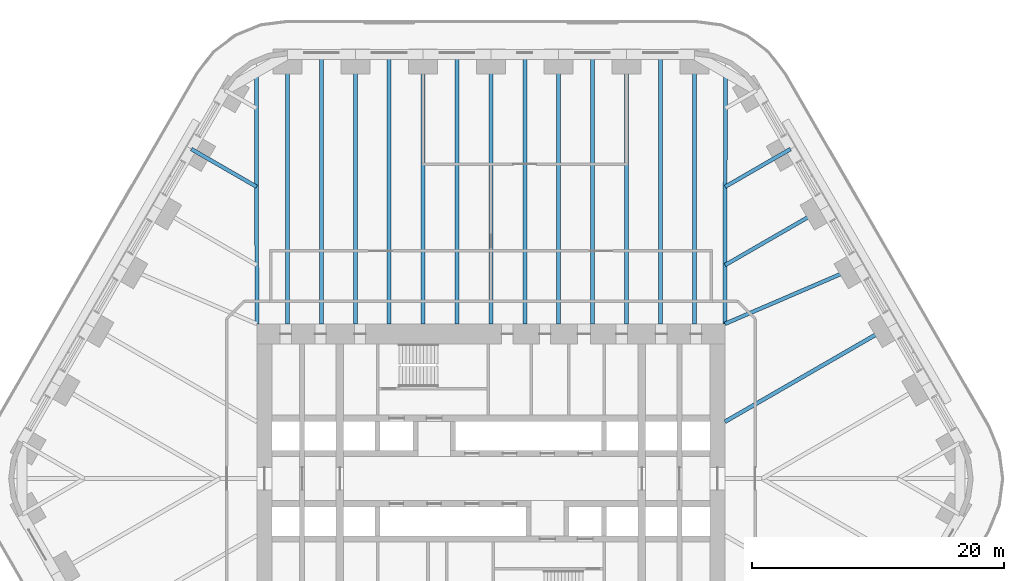
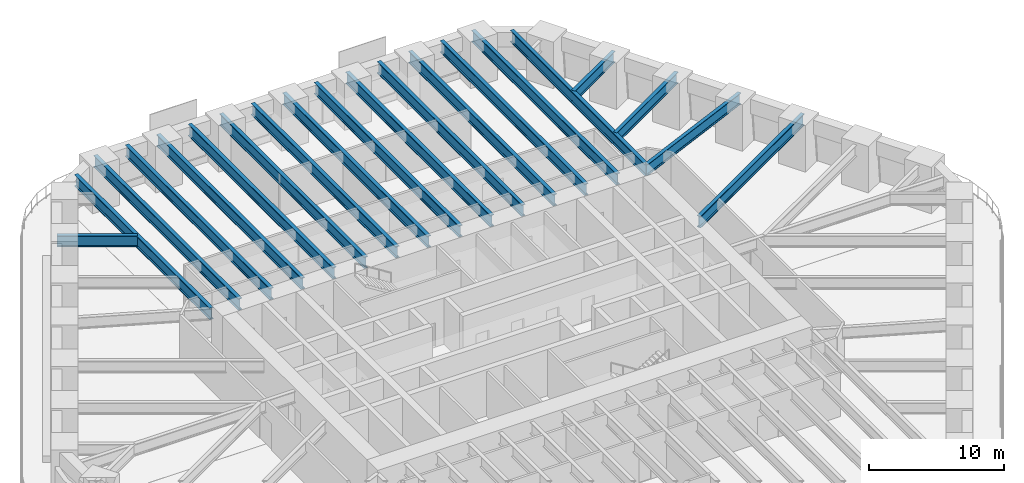
# One storey, part 10 of 23: 20 beams.
"""IFC4 building model written with IfcOpenShell, lengths in metres."""

from ifc_helpers import new_model, si_unit, direction, frame, origin, origin_2d, place, context, subcontext, project, spatial, i_section, extrude, material, material_profile, profile_set, type_object, element, save


model = new_model("IFC4")

# Units and contexts
model_context = context("Model", 3, precision=1e-05, world=origin(), true_north=direction((0.0, 1.0)))
body_context = subcontext(model_context, "Body", "Model", "MODEL_VIEW")
ifc_project = project(units=[si_unit("LENGTHUNIT", "METRE"), si_unit("AREAUNIT", "SQUARE_METRE"), si_unit("VOLUMEUNIT", "CUBIC_METRE"), si_unit("PLANEANGLEUNIT", "RADIAN"), si_unit("MASSUNIT", "GRAM", prefix="KILO")], contexts=[model_context])

# Site, building, storey
site_placement = place(None, origin())
site = spatial("IfcSite", under=ifc_project, at=site_placement, CompositionType="ELEMENT")
building_placement = place(site_placement, origin())
building = spatial("IfcBuilding", under=site, at=building_placement, Name="Tarfa Lantern Tower", CompositionType="ELEMENT")
storey_placement = place(building_placement, frame((0.0, 0.0, 31.89990234375)))
storey = spatial("IfcBuildingStorey", under=building, at=storey_placement, Name="L06", CompositionType="ELEMENT", Elevation=31.89990234375)

# Beams
ifc_material = material(Name="Steel S460M", Category="steel")
ifc_material_profile_1 = material_profile(ifc_material, i_section(OverallWidth=0.302001953125, OverallDepth=1.008056640625, WebThickness=0.02099609375, FlangeThickness=0.0400390625, FilletRadius=0.030029296875, at=origin_2d()), Name="UB1016x305x349")
ifc_profile_set_1 = profile_set([ifc_material_profile_1], Name="Steel S460M")
beam_type_1 = type_object("IfcBeamType", Name="UB1016x305x349", PredefinedType="BEAM", material=ifc_profile_set_1)
beam_1_placement = place(storey_placement, frame((29.202392578125, 16.860107421875, 3.49609375), z_axis=(-0.918635483867, -0.395106122175, 0.0), x_axis=(0.395106122175, -0.918635483867, 0.0)))
element("IfcBeam", 1, at=beam_1_placement, inside=storey, type_object=beam_type_1, Name="Floor beam NE3", PredefinedType="BEAM", context=body_context, shape_type="SweptSolid", body=[
    extrude(i_section(OverallWidth=0.302001953125, OverallDepth=1.008056640625, WebThickness=0.02099609375, FlangeThickness=0.0400390625, FilletRadius=0.030029296875, at=origin_2d()), origin(), (0.0, 0.0, 1.0), 11.541259765625),
])
beam_2_placement = place(storey_placement, frame((26.508056640625, 21.526611328125, 3.49609375), z_axis=(-0.866035355799, -0.49998276221, 0.0), x_axis=(0.49998276221, -0.866035355799, 0.0)))
element("IfcBeam", 2, at=beam_2_placement, inside=storey, type_object=beam_type_1, Name="Floor beam NE4", PredefinedType="BEAM", context=body_context, shape_type="SweptSolid", body=[
    extrude(i_section(OverallWidth=0.302001953125, OverallDepth=1.008056640625, WebThickness=0.02099609375, FlangeThickness=0.0400390625, FilletRadius=0.030029296875, at=origin_2d()), origin(), (0.0, 0.0, 1.0), 9.119873046875),
])
for number, where, z_axis, x_axis, name in (
    (3, (23.813720703125, 26.193359375, 3.49609375), (-0.866015997389, -0.500016292001, 0.0), (0.500016292001, -0.866015997389, 0.0), "Floor beam NE5"),
    (4, (-23.813720703125, 26.193359375, 3.49609375), (0.866015997389, -0.500016292001, 0.0), (0.500016292001, 0.866015997389, 0.0), "Floor beam NW1"),
):
    element("IfcBeam", number, at=place(storey_placement, frame(where, z_axis=z_axis, x_axis=x_axis)), inside=storey, type_object=beam_type_1, Name=name, PredefinedType="BEAM", context=body_context, shape_type="SweptSolid", body=[
        extrude(i_section(OverallWidth=0.302001953125, OverallDepth=1.008056640625, WebThickness=0.02099609375, FlangeThickness=0.0400390625, FilletRadius=0.030029296875, at=origin_2d()), origin(), (0.0, 0.0, 1.0), 5.993408203125),
    ])
ifc_material_profile_2 = material_profile(ifc_material, i_section(OverallWidth=0.314208984375, OverallDepth=1.055908203125, WebThickness=0.035888671875, FlangeThickness=0.06396484375, FilletRadius=0.030029296875, at=origin_2d()), Name="UB1016x305x584")
ifc_profile_set_2 = profile_set([ifc_material_profile_2], Name="Steel S460M")
beam_type_2 = type_object("IfcBeamType", Name="UB1016x305x584", PredefinedType="BEAM", material=ifc_profile_set_2)
for number, where, z_axis, x_axis, name in (
    (5, (18.60009765625, 12.300048828125, 3.47216796875), (0.00212508222, 0.99999774201, 0.0), (-0.99999774201, 0.00212508222, 0.0), "Hip girder NE"),
    (6, (-18.60009765625, 12.300048828125, 3.47216796875), (-0.00212508222, 0.99999774201, 0.0), (-0.99999774201, -0.00212508222, 0.0), "Hip girder NW"),
):
    element("IfcBeam", number, at=place(storey_placement, frame(where, z_axis=z_axis, x_axis=x_axis)), inside=storey, type_object=beam_type_2, Name=name, PredefinedType="BEAM", context=body_context, shape_type="SweptSolid", body=[
        extrude(i_section(OverallWidth=0.314208984375, OverallDepth=1.055908203125, WebThickness=0.035888671875, FlangeThickness=0.06396484375, FilletRadius=0.030029296875, at=origin_2d()), origin(), (0.0, 0.0, 1.0), 19.989990234375),
    ])
beam_3_placement = place(storey_placement, frame((31.896728515625, 12.193359375, 3.47216796875), z_axis=(-0.866026971665, -0.499997284341, 0.0), x_axis=(0.499997284341, -0.866026971665, 0.0)))
element("IfcBeam", 7, at=beam_3_placement, inside=storey, type_object=beam_type_2, Name="Floor beam NE2", PredefinedType="BEAM", context=body_context, shape_type="SweptSolid", body=[
    extrude(i_section(OverallWidth=0.314208984375, OverallDepth=1.055908203125, WebThickness=0.035888671875, FlangeThickness=0.06396484375, FilletRadius=0.030029296875, at=origin_2d()), origin(), (0.0, 0.0, 1.0), 15.353515625),
])
for number, where, z_axis, x_axis, name in (
    (8, (16.165771484375, 33.719970703125, 3.47216796875), (0.0, -1.0, 0.0), (1.0, 0.0, 0.0), "Floor beam N0"),
    (9, (10.777099609375, 33.719970703125, 3.47216796875), (0.0, -1.0, 0.0), (1.0, 0.0, 0.0), "Floor beam N1"),
    (10, (5.388671875, 33.719970703125, 3.47216796875), (0.0, -1.0, 0.0), (1.0, 0.0, 0.0), "Floor beam N2"),
    (11, (0.0, 33.719970703125, 3.47216796875), (0.0, -1.0, 0.0), (1.0, 0.0, 0.0), "Floor beam N3"),
    (12, (-5.388671875, 33.719970703125, 3.47216796875), (0.0, -1.0, 0.0), (1.0, 0.0, 0.0), "Floor beam N4"),
    (13, (-10.777099609375, 33.719970703125, 3.47216796875), (0.0, -1.0, 0.0), (1.0, 0.0, 0.0), "Floor beam N5"),
    (14, (-16.165771484375, 33.719970703125, 3.47216796875), (0.0, -1.0, 0.0), (1.0, 0.0, 0.0), "Floor beam N6"),
    (15, (13.471435546875, 33.719970703125, 3.47216796875), (0.0, -1.0, 0.0), (1.0, 0.0, 0.0), "Floor beam N0M"),
    (16, (8.0830078125, 33.719970703125, 3.47216796875), (0.0, -1.0, 0.0), (1.0, 0.0, 0.0), "Floor beam N1M"),
    (17, (2.6943359375, 33.719970703125, 3.47216796875), (0.0, -1.0, 0.0), (1.0, 0.0, 0.0), "Floor beam N2M"),
    (18, (-2.6943359375, 33.719970703125, 3.47216796875), (0.0, -1.0, 0.0), (1.0, 0.0, 0.0), "Floor beam N3M"),
    (19, (-8.0830078125, 33.719970703125, 3.47216796875), (0.0, -1.0, 0.0), (1.0, 0.0, 0.0), "Floor beam N4M"),
    (20, (-13.471435546875, 33.719970703125, 3.47216796875), (0.0, -1.0, 0.0), (1.0, 0.0, 0.0), "Floor beam N5M"),
):
    element("IfcBeam", number, at=place(storey_placement, frame(where, z_axis=z_axis, x_axis=x_axis)), inside=storey, type_object=beam_type_2, Name=name, PredefinedType="BEAM", context=body_context, shape_type="SweptSolid", body=[
        extrude(i_section(OverallWidth=0.314208984375, OverallDepth=1.055908203125, WebThickness=0.035888671875, FlangeThickness=0.06396484375, FilletRadius=0.030029296875, at=origin_2d()), origin(), (0.0, 0.0, 1.0), 21.419921875),
    ])

save(model, "model.ifc")
